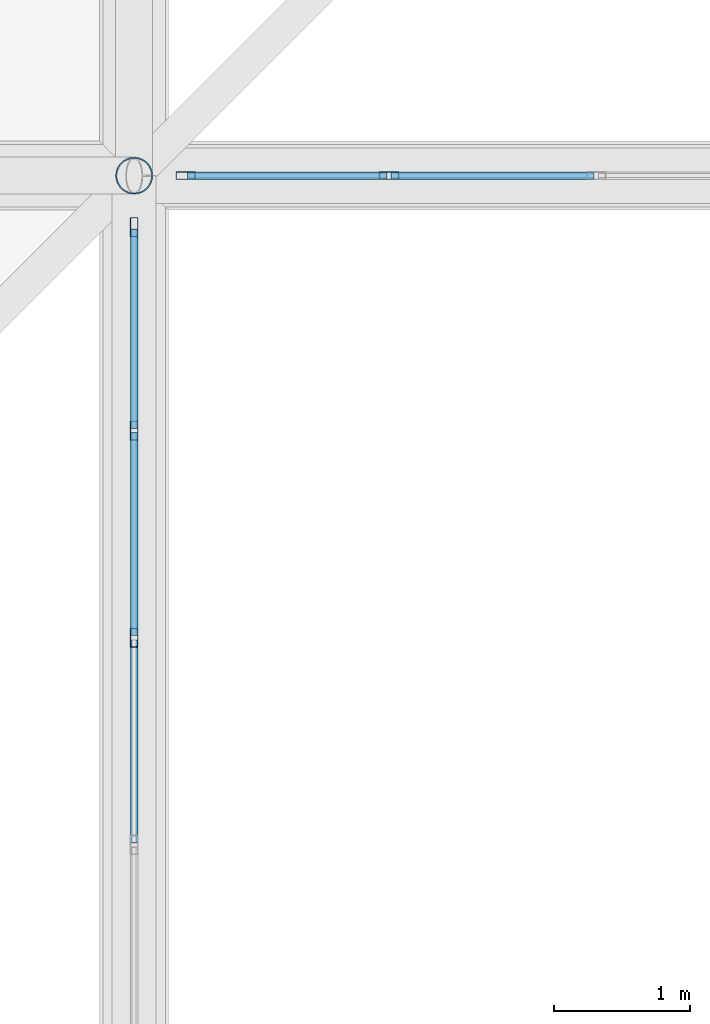
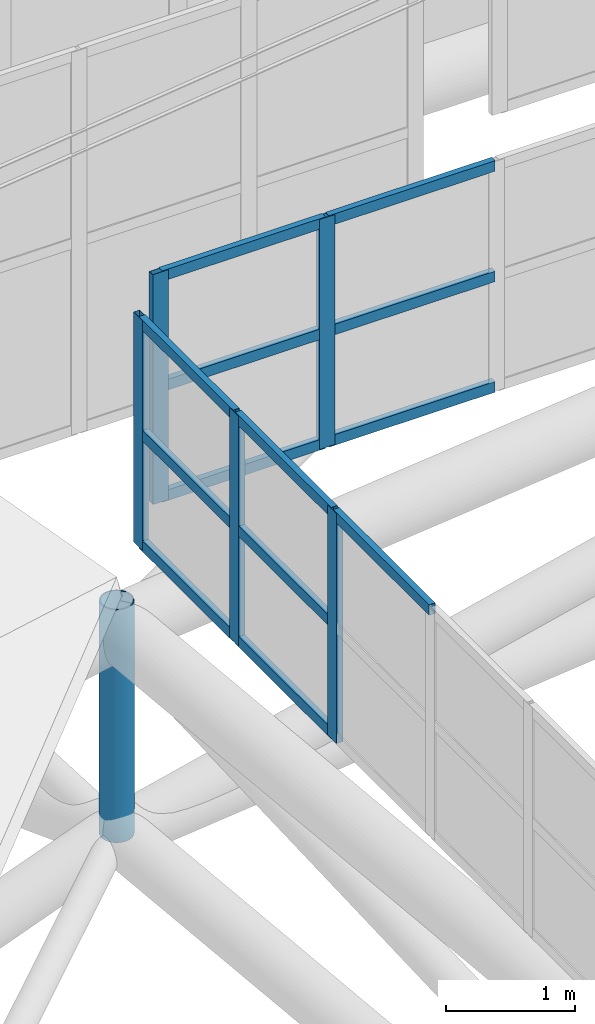
# One storey, part 219 of 397: 19 members, 2 elements without a shape of their own.
"""IFC4 building model written with IfcOpenShell, lengths in metres."""

from ifc_helpers import new_model, si_unit, direction, frame, origin, origin_2d, place, context, subcontext, project, spatial, hollow_rectangle, hollow_circle, extrude, material, material_profile, profile_set, type_object, element, aggregate, save


model = new_model("IFC4")

# Units and contexts
model_context = context("Model", 3, precision=1e-05, world=origin(), true_north=direction((0.0, 1.0)))
body_context = subcontext(model_context, "Body", "Model", "MODEL_VIEW")
ifc_project = project(units=[si_unit("LENGTHUNIT", "METRE"), si_unit("AREAUNIT", "SQUARE_METRE"), si_unit("VOLUMEUNIT", "CUBIC_METRE"), si_unit("PLANEANGLEUNIT", "RADIAN"), si_unit("MASSUNIT", "GRAM", prefix="KILO")], contexts=[model_context])

# Site, building, storey
site_placement = place(None, origin())
site = spatial("IfcSite", under=ifc_project, at=site_placement, CompositionType="ELEMENT")
building_placement = place(site_placement, origin())
building = spatial("IfcBuilding", under=site, at=building_placement, Name="Qandorah Velis Arena", CompositionType="ELEMENT")
storey_placement = place(building_placement, frame((0.0, 0.0, 27.5)))
storey = spatial("IfcBuildingStorey", under=building, at=storey_placement, Name="RF", CompositionType="ELEMENT", Elevation=27.5)

# Curtain wall, members
ifc_material_1 = material(Name="Solar-control low-E double glazing", Category="glass")
curtain_wall_type_1 = type_object("IfcCurtainWallType", Name="ARC-CW-SYS10", PredefinedType="USERDEFINED", material=ifc_material_1)
curtain_wall_1_placement = place(storey_placement, origin())
curtain_wall_1 = element("IfcCurtainWall", 1, at=curtain_wall_1_placement, inside=storey, type_object=curtain_wall_type_1, Name="Unitised curtain wall OCULUS-1-5", ObjectType="UNITISED CURTAIN WALL", PredefinedType="USERDEFINED")
ifc_material_2 = material(Name="Champagne-bronze anodized aluminium 6063-T6", Category="aluminium")
ifc_material_profile_1 = material_profile(ifc_material_2, hollow_rectangle(XDim=0.054931640625, YDim=0.139892578125, WallThickness=0.0029296875, at=origin_2d()), Name="ALU MULLION 55x140")
ifc_profile_set_1 = profile_set([ifc_material_profile_1], Name="Champagne-bronze anodized aluminium 6063-T6")
member_type_1 = type_object("IfcMemberType", Name="ARC-CWM-140", PredefinedType="MULLION", material=ifc_profile_set_1)
member_1_placement = place(storey_placement, frame((28.800048828125, 97.405517578125, 8.470947265625), z_axis=(0.0, 0.0, 1.0), x_axis=(-1.0, 0.0, 0.0)))
member_1 = element("IfcMember", 2, at=member_1_placement, type_object=member_type_1, Name="CW10 mullion 8", PredefinedType="MULLION", context=body_context, shape_type="SweptSolid", body=[
    extrude(hollow_rectangle(XDim=0.054931640625, YDim=0.139892578125, WallThickness=0.0029296875, at=origin_2d()), origin(), (0.0, 0.0, 1.0), 2.179931640625),
])
member_2_placement = place(storey_placement, frame((28.800048828125, 98.927734375, 8.470947265625), z_axis=(0.0, 0.0, 1.0), x_axis=(-1.0, 0.0, 0.0)))
member_2 = element("IfcMember", 3, at=member_2_placement, type_object=member_type_1, Name="CW10 mullion 9", PredefinedType="MULLION", context=body_context, shape_type="SweptSolid", body=[
    extrude(hollow_rectangle(XDim=0.054931640625, YDim=0.139892578125, WallThickness=0.0029296875, at=origin_2d()), origin(), (0.0, 0.0, 1.0), 2.179931640625),
])
member_3_placement = place(storey_placement, frame((28.800048828125, 100.422607421875, 8.470947265625), z_axis=(0.0, 0.0, 1.0), x_axis=(-1.0, 0.0, 0.0)))
member_3 = element("IfcMember", 4, at=member_3_placement, type_object=member_type_1, Name="CW10 mullion 10", PredefinedType="MULLION", context=body_context, shape_type="SweptSolid", body=[
    extrude(hollow_rectangle(XDim=0.054931640625, YDim=0.139892578125, WallThickness=0.0029296875, at=origin_2d()), origin(), (0.0, 0.0, 1.0), 2.179931640625),
])

curtain_wall_type_2 = type_object("IfcCurtainWallType", Name="ARC-CW-SYS21", PredefinedType="USERDEFINED", material=ifc_material_1)
curtain_wall_2_placement = place(storey_placement, origin())
curtain_wall_2 = element("IfcCurtainWall", 5, at=curtain_wall_2_placement, inside=storey, type_object=curtain_wall_type_2, Name="Unitised curtain wall OCULUS-4-1", ObjectType="UNITISED CURTAIN WALL", PredefinedType="USERDEFINED")
member_4_placement = place(storey_placement, frame((29.177490234375, 100.800048828125, 8.53515625), z_axis=(0.0, 0.0, 1.0), x_axis=(0.0, 1.0, 0.0)))
member_4 = element("IfcMember", 6, at=member_4_placement, type_object=member_type_1, Name="CW21 mullion 1", PredefinedType="MULLION", context=body_context, shape_type="SweptSolid", body=[
    extrude(hollow_rectangle(XDim=0.054931640625, YDim=0.139892578125, WallThickness=0.0029296875, at=origin_2d()), origin(), (0.0, 0.0, 1.0), 2.179931640625),
])
member_5_placement = place(storey_placement, frame((30.672119140625, 100.800048828125, 8.53515625), z_axis=(0.0, 0.0, 1.0), x_axis=(0.0, 1.0, 0.0)))
member_5 = element("IfcMember", 7, at=member_5_placement, type_object=member_type_1, Name="CW21 mullion 2", PredefinedType="MULLION", context=body_context, shape_type="SweptSolid", body=[
    extrude(hollow_rectangle(XDim=0.054931640625, YDim=0.139892578125, WallThickness=0.0029296875, at=origin_2d()), origin(), (0.0, 0.0, 1.0), 2.179931640625),
])

# Member
ifc_material_profile_2 = material_profile(ifc_material_2, hollow_rectangle(XDim=0.054931640625, YDim=0.10009765625, WallThickness=0.0029296875, at=origin_2d()), Name="ALU TRANSOM 55x100")
ifc_profile_set_2 = profile_set([ifc_material_profile_2], Name="Champagne-bronze anodized aluminium 6063-T6")
member_type_2 = type_object("IfcMemberType", Name="ARC-CWT-100", PredefinedType="USERDEFINED", material=ifc_profile_set_2)
member_6_placement = place(storey_placement, frame((28.800048828125, 95.898681640625, 10.6083984375), z_axis=(0.0, 1.0, 0.0), x_axis=(-1.0, 0.0, 0.0)))
member_6 = element("IfcMember", 8, at=member_6_placement, type_object=member_type_2, Name="CW10 transom 7.3", ObjectType="TRANSOM", PredefinedType="USERDEFINED", context=body_context, shape_type="SweptSolid", body=[
    extrude(hollow_rectangle(XDim=0.054931640625, YDim=0.10009765625, WallThickness=0.0029296875, at=origin_2d()), origin(), (0.0, 0.0, 1.0), 1.491455078125),
])

member_7_placement = place(storey_placement, frame((28.800048828125, 97.421142578125, 8.513427734375), z_axis=(0.0, 1.0, 0.0), x_axis=(-1.0, 0.0, 0.0)))
member_7 = element("IfcMember", 9, at=member_7_placement, type_object=member_type_2, Name="CW10 transom 8.1", ObjectType="TRANSOM", PredefinedType="USERDEFINED", context=body_context, shape_type="SweptSolid", body=[
    extrude(hollow_rectangle(XDim=0.054931640625, YDim=0.10009765625, WallThickness=0.0029296875, at=origin_2d()), origin(), (0.0, 0.0, 1.0), 1.4912109375),
])

member_8_placement = place(storey_placement, frame((28.800048828125, 97.421142578125, 9.56103515625), z_axis=(0.0, 1.0, 0.0), x_axis=(-1.0, 0.0, 0.0)))
member_8 = element("IfcMember", 10, at=member_8_placement, type_object=member_type_2, Name="CW10 transom 8.2", ObjectType="TRANSOM", PredefinedType="USERDEFINED", context=body_context, shape_type="SweptSolid", body=[
    extrude(hollow_rectangle(XDim=0.054931640625, YDim=0.10009765625, WallThickness=0.0029296875, at=origin_2d()), origin(), (0.0, 0.0, 1.0), 1.4912109375),
])

member_9_placement = place(storey_placement, frame((28.800048828125, 97.421142578125, 10.6083984375), z_axis=(0.0, 1.0, 0.0), x_axis=(-1.0, 0.0, 0.0)))
member_9 = element("IfcMember", 11, at=member_9_placement, type_object=member_type_2, Name="CW10 transom 8.3", ObjectType="TRANSOM", PredefinedType="USERDEFINED", context=body_context, shape_type="SweptSolid", body=[
    extrude(hollow_rectangle(XDim=0.054931640625, YDim=0.10009765625, WallThickness=0.0029296875, at=origin_2d()), origin(), (0.0, 0.0, 1.0), 1.4912109375),
])

member_10_placement = place(storey_placement, frame((28.800048828125, 98.943359375, 8.513427734375), z_axis=(0.0, 1.0, 0.0), x_axis=(-1.0, 0.0, 0.0)))
member_10 = element("IfcMember", 12, at=member_10_placement, type_object=member_type_2, Name="CW10 transom 9.1", ObjectType="TRANSOM", PredefinedType="USERDEFINED", context=body_context, shape_type="SweptSolid", body=[
    extrude(hollow_rectangle(XDim=0.054931640625, YDim=0.10009765625, WallThickness=0.0029296875, at=origin_2d()), origin(), (0.0, 0.0, 1.0), 1.463623046875),
])

member_11_placement = place(storey_placement, frame((28.800048828125, 98.943359375, 9.56103515625), z_axis=(0.0, 1.0, 0.0), x_axis=(-1.0, 0.0, 0.0)))
member_11 = element("IfcMember", 13, at=member_11_placement, type_object=member_type_2, Name="CW10 transom 9.2", ObjectType="TRANSOM", PredefinedType="USERDEFINED", context=body_context, shape_type="SweptSolid", body=[
    extrude(hollow_rectangle(XDim=0.054931640625, YDim=0.10009765625, WallThickness=0.0029296875, at=origin_2d()), origin(), (0.0, 0.0, 1.0), 1.463623046875),
])

member_12_placement = place(storey_placement, frame((28.800048828125, 98.943359375, 10.6083984375), z_axis=(0.0, 1.0, 0.0), x_axis=(-1.0, 0.0, 0.0)))
member_12 = element("IfcMember", 14, at=member_12_placement, type_object=member_type_2, Name="CW10 transom 9.3", ObjectType="TRANSOM", PredefinedType="USERDEFINED", context=body_context, shape_type="SweptSolid", body=[
    extrude(hollow_rectangle(XDim=0.054931640625, YDim=0.10009765625, WallThickness=0.0029296875, at=origin_2d()), origin(), (0.0, 0.0, 1.0), 1.463623046875),
])

aggregate(curtain_wall_1, [member_1, member_2, member_3, member_6, member_7, member_8, member_9, member_10, member_11, member_12])

member_13_placement = place(storey_placement, frame((29.193115234375, 100.800048828125, 8.57763671875), z_axis=(1.0, 0.0, 0.0), x_axis=(0.0, 1.0, 0.0)))
member_13 = element("IfcMember", 15, at=member_13_placement, type_object=member_type_2, Name="CW21 transom 1.1", ObjectType="TRANSOM", PredefinedType="USERDEFINED", context=body_context, shape_type="SweptSolid", body=[
    extrude(hollow_rectangle(XDim=0.054931640625, YDim=0.10009765625, WallThickness=0.0029296875, at=origin_2d()), origin(), (0.0, 0.0, 1.0), 1.463623046875),
])

member_14_placement = place(storey_placement, frame((29.193115234375, 100.800048828125, 9.625244140625), z_axis=(1.0, 0.0, 0.0), x_axis=(0.0, 1.0, 0.0)))
member_14 = element("IfcMember", 16, at=member_14_placement, type_object=member_type_2, Name="CW21 transom 1.2", ObjectType="TRANSOM", PredefinedType="USERDEFINED", context=body_context, shape_type="SweptSolid", body=[
    extrude(hollow_rectangle(XDim=0.054931640625, YDim=0.10009765625, WallThickness=0.0029296875, at=origin_2d()), origin(), (0.0, 0.0, 1.0), 1.463623046875),
])

member_15_placement = place(storey_placement, frame((29.193115234375, 100.800048828125, 10.672607421875), z_axis=(1.0, 0.0, 0.0), x_axis=(0.0, 1.0, 0.0)))
member_15 = element("IfcMember", 17, at=member_15_placement, type_object=member_type_2, Name="CW21 transom 1.3", ObjectType="TRANSOM", PredefinedType="USERDEFINED", context=body_context, shape_type="SweptSolid", body=[
    extrude(hollow_rectangle(XDim=0.054931640625, YDim=0.10009765625, WallThickness=0.0029296875, at=origin_2d()), origin(), (0.0, 0.0, 1.0), 1.463623046875),
])

member_16_placement = place(storey_placement, frame((30.687744140625, 100.800048828125, 8.57763671875), z_axis=(1.0, 0.0, 0.0), x_axis=(0.0, 1.0, 0.0)))
member_16 = element("IfcMember", 18, at=member_16_placement, type_object=member_type_2, Name="CW21 transom 2.1", ObjectType="TRANSOM", PredefinedType="USERDEFINED", context=body_context, shape_type="SweptSolid", body=[
    extrude(hollow_rectangle(XDim=0.054931640625, YDim=0.10009765625, WallThickness=0.0029296875, at=origin_2d()), origin(), (0.0, 0.0, 1.0), 1.4912109375),
])

member_17_placement = place(storey_placement, frame((30.687744140625, 100.800048828125, 9.625244140625), z_axis=(1.0, 0.0, 0.0), x_axis=(0.0, 1.0, 0.0)))
member_17 = element("IfcMember", 19, at=member_17_placement, type_object=member_type_2, Name="CW21 transom 2.2", ObjectType="TRANSOM", PredefinedType="USERDEFINED", context=body_context, shape_type="SweptSolid", body=[
    extrude(hollow_rectangle(XDim=0.054931640625, YDim=0.10009765625, WallThickness=0.0029296875, at=origin_2d()), origin(), (0.0, 0.0, 1.0), 1.4912109375),
])

member_18_placement = place(storey_placement, frame((30.687744140625, 100.800048828125, 10.672607421875), z_axis=(1.0, 0.0, 0.0), x_axis=(0.0, 1.0, 0.0)))
member_18 = element("IfcMember", 20, at=member_18_placement, type_object=member_type_2, Name="CW21 transom 2.3", ObjectType="TRANSOM", PredefinedType="USERDEFINED", context=body_context, shape_type="SweptSolid", body=[
    extrude(hollow_rectangle(XDim=0.054931640625, YDim=0.10009765625, WallThickness=0.0029296875, at=origin_2d()), origin(), (0.0, 0.0, 1.0), 1.4912109375),
])

aggregate(curtain_wall_2, [member_4, member_5, member_13, member_14, member_15, member_16, member_17, member_18])

ifc_material_3 = material(Name="Steel S355", Category="steel")
ifc_material_profile_3 = material_profile(ifc_material_3, hollow_circle(Radius=0.136474609375, WallThickness=0.010009765625, at=origin_2d()), Name="CHS 273x10")
ifc_profile_set_3 = profile_set([ifc_material_profile_3], Name="Steel S355")
member_type_3 = type_object("IfcMemberType", Name="STR-SFD-CHS273X10", PredefinedType="STRUT", material=ifc_profile_set_3)
member_19_placement = place(storey_placement, frame((28.800048828125, 100.800048828125, 5.515380859375), z_axis=(0.0, 0.0, 1.0), x_axis=(1.0, 0.0, 0.0)))
element("IfcMember", 21, at=member_19_placement, inside=storey, type_object=member_type_3, Name="Space frame roof vertical post 1.6", PredefinedType="STRUT", context=body_context, shape_type="SweptSolid", body=[
    extrude(hollow_circle(Radius=0.136474609375, WallThickness=0.010009765625, at=origin_2d()), origin(), (0.0, 0.0, 1.0), 2.2099609375),
])

save(model, "model.ifc")
